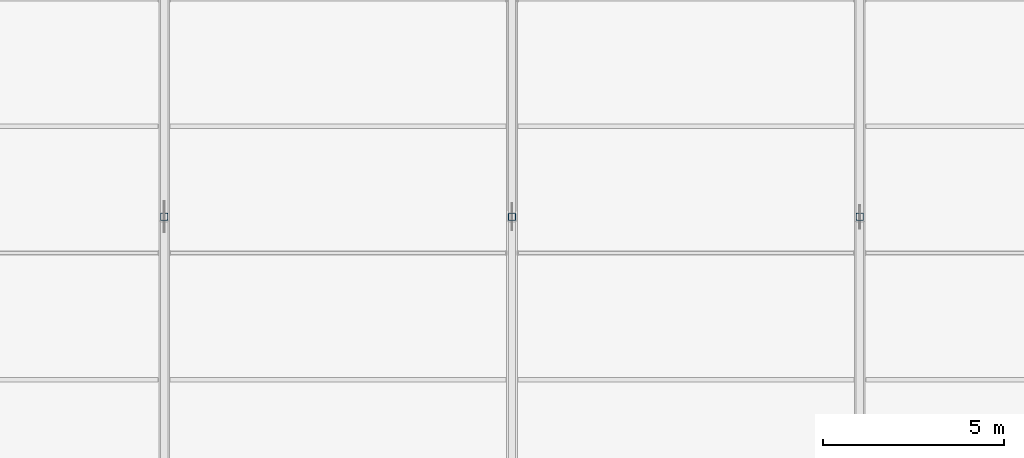
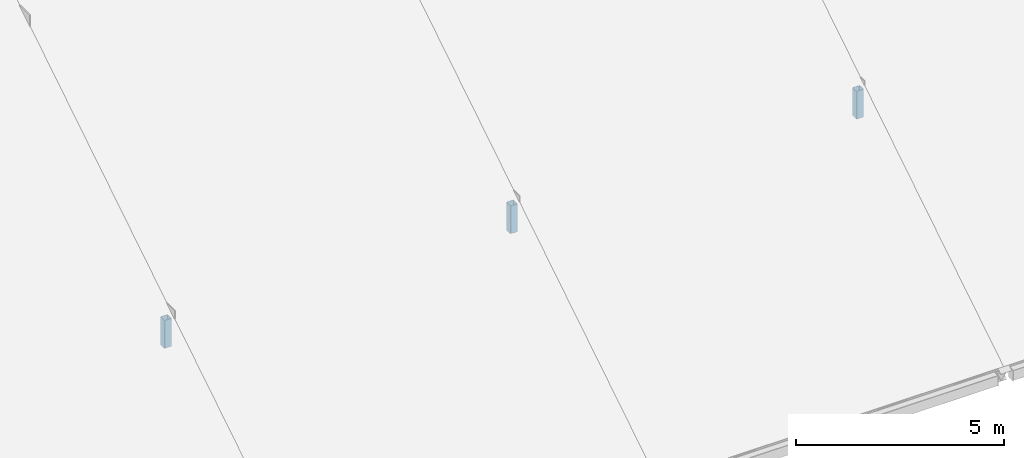
# One storey, part 20 of 66: 3 members.
"""IFC4 building model written with IfcOpenShell, lengths in metres."""

from ifc_helpers import new_model, si_unit, direction, frame, origin, origin_2d, place, context, subcontext, project, spatial, hollow_rectangle, extrude, material, material_profile, profile_set, type_object, element, save


model = new_model("IFC4")

# Units and contexts
model_context = context("Model", 3, precision=1e-05, world=origin(), true_north=direction((0.0, 1.0)))
body_context = subcontext(model_context, "Body", "Model", "MODEL_VIEW")
ifc_project = project(units=[si_unit("LENGTHUNIT", "METRE"), si_unit("AREAUNIT", "SQUARE_METRE"), si_unit("VOLUMEUNIT", "CUBIC_METRE"), si_unit("PLANEANGLEUNIT", "RADIAN"), si_unit("MASSUNIT", "GRAM", prefix="KILO")], contexts=[model_context])

# Site, building, storey
site_placement = place(None, origin())
site = spatial("IfcSite", under=ifc_project, at=site_placement, CompositionType="ELEMENT")
building_placement = place(site_placement, origin())
building = spatial("IfcBuilding", under=site, at=building_placement, Name="Yeouljin Market Hall", CompositionType="ELEMENT")
storey_placement = place(building_placement, frame((0.0, 0.0, 23.39990234375)))
storey = spatial("IfcBuildingStorey", under=building, at=storey_placement, Name="RF", CompositionType="ELEMENT", Elevation=23.39990234375)

# Members
ifc_material = material(Name="Steel SM355", Category="steel")
ifc_material_profile = material_profile(ifc_material, hollow_rectangle(XDim=0.199951171875, YDim=0.199951171875, WallThickness=0.008056640625, InnerFilletRadius=0.008056640625, OuterFilletRadius=0.01611328125, at=origin_2d()), Name="SHS-200x200x8")
ifc_profile_set = profile_set([ifc_material_profile], Name="Steel SM355")
member_type = type_object("IfcMemberType", Name="Strut_SHS-200x200x8", PredefinedType="STRUT", material=ifc_profile_set)
for number, where, z_axis, x_axis, name in (
    (1, (64.199951171875, 43.0, -8.897705078125), (0.0, 0.0, 1.0), (1.0, 0.0, 0.0), "Truss AT-04 vertical strut 1"),
    (2, (73.800048828125, 43.0, -8.897705078125), (0.0, 0.0, 1.0), (1.0, 0.0, 0.0), "Truss AT-05 vertical strut 1"),
    (3, (83.39990234375, 43.0, -8.897705078125), (0.0, 0.0, 1.0), (1.0, 0.0, 0.0), "Truss AT-06 vertical strut 1"),
):
    element("IfcMember", number, at=place(storey_placement, frame(where, z_axis=z_axis, x_axis=x_axis)), inside=storey, type_object=member_type, Name=name, PredefinedType="STRUT", context=body_context, shape_type="SweptSolid", body=[
        extrude(hollow_rectangle(XDim=0.199951171875, YDim=0.199951171875, WallThickness=0.008056640625, InnerFilletRadius=0.008056640625, OuterFilletRadius=0.01611328125, at=origin_2d()), origin(), (0.0, 0.0, 1.0), 0.81787109375),
    ])

save(model, "model.ifc")
